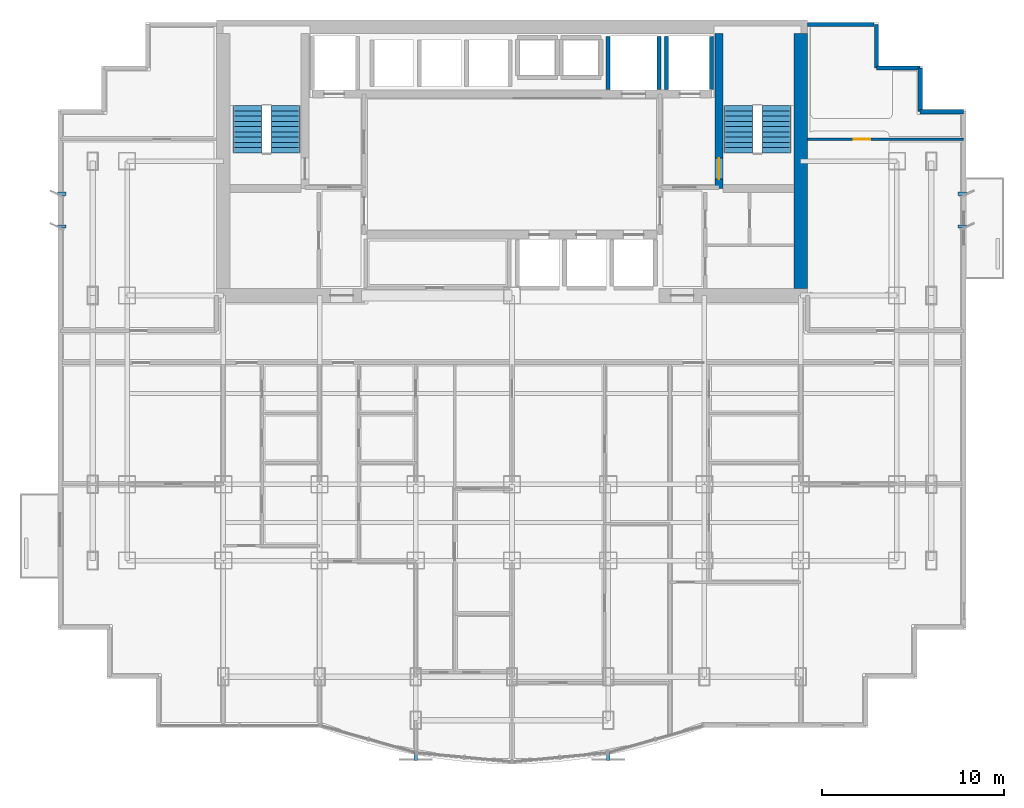
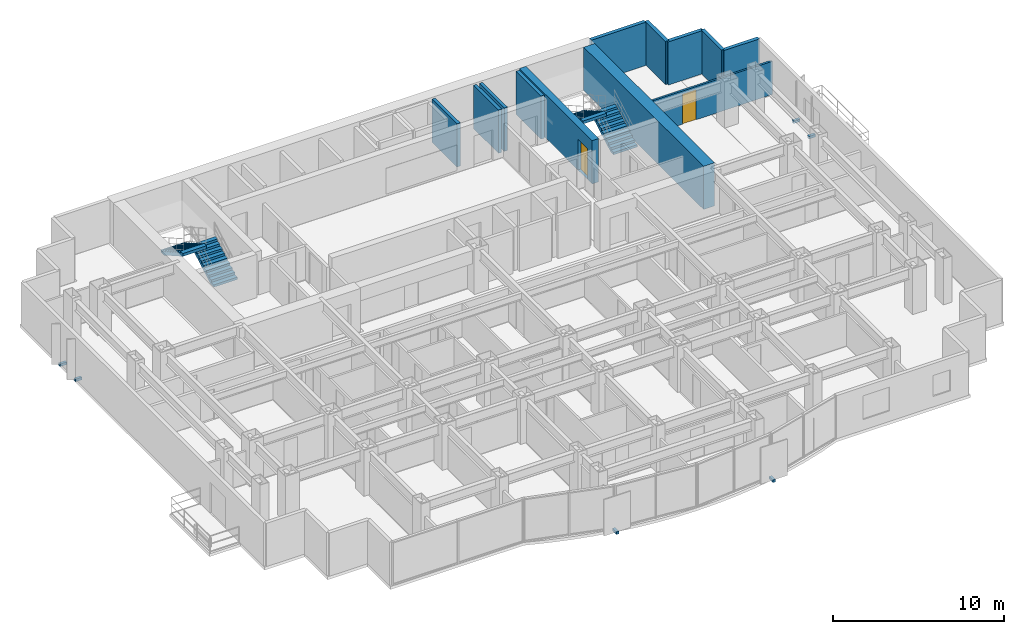
# One storey, part 8 of 10: 12 walls, 6 discrete accessories, 4 stair flights, 2 doors, 2 openings, 2 elements without a shape of their own.
"""IFC4 building model written with IfcOpenShell, lengths in metres."""

from ifc_helpers import new_model, si_unit, direction, frame, frame_2d, origin, origin_2d, place, context, subcontext, project, spatial, polyline, rectangle, outline, extrude, source, transform, mapped, material, layer, layer_set, type_object, element, fill, aggregate, save


model = new_model("IFC4")

# Units and contexts
model_context = context("Model", 3, precision=1e-05, world=origin(), true_north=direction((0.0, 1.0)))
body_context = subcontext(model_context, "Body", "Model", "MODEL_VIEW")
ifc_project = project(units=[si_unit("LENGTHUNIT", "METRE"), si_unit("AREAUNIT", "SQUARE_METRE"), si_unit("VOLUMEUNIT", "CUBIC_METRE"), si_unit("PLANEANGLEUNIT", "RADIAN"), si_unit("MASSUNIT", "GRAM", prefix="KILO")], contexts=[model_context])

# Site, building, storey
site_placement = place(None, origin())
site = spatial("IfcSite", under=ifc_project, at=site_placement, CompositionType="ELEMENT")
building_placement = place(site_placement, origin())
building = spatial("IfcBuilding", under=site, at=building_placement, Name="Qianlan Lanfeng Residences", CompositionType="ELEMENT")
storey_placement = place(building_placement, frame((0.0, 0.0, 114.699951171875)))
storey = spatial("IfcBuildingStorey", under=building, at=storey_placement, Name="L31", CompositionType="ELEMENT", Elevation=114.699951171875)

# Wall, opening, door
ifc_material_1 = material(Name="Concrete C60", Category="concrete")
ifc_layer_1 = layer(ifc_material_1, 0.449951171875)
ifc_layer_set_1 = layer_set([ifc_layer_1], Name="Concrete C60")
wall_type_1 = type_object("IfcWallType", Name="CW-RC-450", PredefinedType="SHEAR", material=ifc_layer_set_1)
wall_1_placement = place(storey_placement, frame((37.89990234375, 31.10009765625, 0.0), z_axis=(0.0, 0.0, 1.0), x_axis=(0.0, 1.0, 0.0)))
wall_1 = element("IfcWall", 1, at=wall_1_placement, inside=storey, type_object=wall_type_1, Name="L31 Core Shear Wall ST2W", PredefinedType="SHEAR", context=body_context, shape_type="SweptSolid", body=[
    extrude(rectangle(XDim=8.52490234375, YDim=0.449951171875, at=frame_2d((4.262451171875, 0.0))), origin(), (0.0, 0.0, 1.0), 3.090087890625),
])
opening_1_placement = place(wall_1_placement, frame((0.510009765625, 0.0, 0.0)))
opening_1 = element("IfcOpeningElement", 2, at=opening_1_placement, cuts=wall_1, Name="Opening L31-D08", PredefinedType="OPENING", context=body_context, shape_type="SweptSolid", body=[
    extrude(rectangle(XDim=1.14990234375, YDim=2.199951171875, at=frame_2d((0.574951171875, 1.10009765625))), frame((0.0, 0.23486328125, 0.0), z_axis=(0.0, -1.0, 0.0), x_axis=(1.0, 0.0, 0.0)), (0.0, 0.0, 1.0), 0.469970703125),
])
ifc_material_2 = material(Name="Painted Galvanised Steel Fire Door", Category="steel")
door_type_1 = type_object("IfcDoorType", Name="DT-ST1", OperationType="NOTDEFINED", PredefinedType="DOOR", material=ifc_material_2)
door_1_placement = place(opening_1_placement, origin())
door_1 = element("IfcDoor", 3, at=door_1_placement, inside=storey, type_object=door_type_1, Name="L31 Exit Stair ST-2 Door L31-D08 (DT-ST1)", OperationType="SINGLE_SWING_RIGHT", OverallHeight=2.199951171875, OverallWidth=1.14990234375, PredefinedType="DOOR", context=body_context, shape_type="SweptSolid", body=[
    extrude(rectangle(XDim=1.14990234375, YDim=2.199951171875, at=frame_2d((0.574951171875, 1.10009765625))), frame((0.0, 0.02490234375, 0.0), z_axis=(0.0, -1.0, 0.0), x_axis=(1.0, 0.0, 0.0)), (0.0, 0.0, 1.0), 0.050048828125),
])
fill(opening_1, door_1)

# Walls
ifc_layer_2 = layer(ifc_material_1, 0.75)
ifc_layer_set_2 = layer_set([ifc_layer_2], Name="Concrete C60")
wall_type_2 = type_object("IfcWallType", Name="CW-RC-750", PredefinedType="SHEAR", material=ifc_layer_set_2)
wall_2_placement = place(storey_placement, frame((42.39990234375, 25.574951171875, 0.0), z_axis=(0.0, 0.0, 1.0), x_axis=(0.0, 1.0, 0.0)))
element("IfcWall", 4, at=wall_2_placement, inside=storey, type_object=wall_type_2, Name="L31 Core Shear Wall E", PredefinedType="SHEAR", context=body_context, shape_type="SweptSolid", body=[
    extrude(rectangle(XDim=14.050048828125, YDim=0.75, at=frame_2d((7.02490234375, 0.0))), origin(), (0.0, 0.0, 1.0), 3.090087890625),
])
ifc_material_3 = material(Name="Concrete C42", Category="concrete")
ifc_layer_3 = layer(ifc_material_3, 0.239990234375)
ifc_layer_set_3 = layer_set([ifc_layer_3], Name="Concrete C42")
wall_type_3 = type_object("IfcWallType", Name="EW-240", PredefinedType="SOLIDWALL", material=ifc_layer_set_3)
for number, where, z_axis, x_axis, name in (
    (5, (51.3798828125, 35.330078125, 0.0), (0.0, 0.0, 1.0), (-1.0, 0.0, 0.0), "L31 Exterior Facade Spandrel Wall 11"),
    (6, (48.97998046875, 35.330078125, 0.0), (0.0, 0.0, 1.0), (0.0, 1.0, 0.0), "L31 Exterior Facade Spandrel Wall 12"),
    (7, (48.97998046875, 37.72998046875, 0.0), (0.0, 0.0, 1.0), (-1.0, 0.0, 0.0), "L31 Exterior Facade Spandrel Wall 13"),
    (8, (46.580078125, 37.72998046875, 0.0), (0.0, 0.0, 1.0), (0.0, 1.0, 0.0), "L31 Exterior Facade Spandrel Wall 14"),
):
    element("IfcWall", number, at=place(storey_placement, frame(where, z_axis=z_axis, x_axis=x_axis)), inside=storey, type_object=wall_type_3, Name=name, PredefinedType="SOLIDWALL", context=body_context, shape_type="SweptSolid", body=[
        extrude(rectangle(XDim=2.39990234375, YDim=0.239990234375, at=frame_2d((1.199951171875, 0.0))), origin(), (0.0, 0.0, 1.0), 3.090087890625),
    ])
wall_3_placement = place(storey_placement, frame((46.449951171875, 40.1298828125, 0.0), z_axis=(0.0, 0.0, 1.0), x_axis=(-1.0, 0.0, 0.0)))
element("IfcWall", 9, at=wall_3_placement, inside=storey, type_object=wall_type_3, Name="L31 North Wing Exterior Wall E", PredefinedType="SOLIDWALL", context=body_context, shape_type="SweptSolid", body=[
    extrude(rectangle(XDim=3.675048828125, YDim=0.239990234375, at=frame_2d((1.83740234375, 0.0))), origin(), (0.0, 0.0, 1.0), 3.090087890625),
])

# Wall, opening, door
ifc_material_4 = material(Name="Moisture-Resistant Gypsum Partition 135 mm")
ifc_layer_4 = layer(ifc_material_4, 0.135009765625)
ifc_layer_set_4 = layer_set([ifc_layer_4], Name="Moisture-Resistant Gypsum Partition 135 mm")
wall_type_4 = type_object("IfcWallType", Name="PW-135", PredefinedType="PARTITIONING", material=ifc_layer_set_4)
wall_4_placement = place(storey_placement, frame((42.77490234375, 33.800048828125, 0.0), z_axis=(0.0, 0.0, 1.0), x_axis=(1.0, 0.0, 0.0)))
wall_4 = element("IfcWall", 10, at=wall_4_placement, inside=storey, type_object=wall_type_4, Name="L31 EW North Wing Wall", PredefinedType="PARTITIONING", context=body_context, shape_type="SweptSolid", body=[
    extrude(rectangle(XDim=8.60498046875, YDim=0.135009765625, at=frame_2d((4.302490234375, 0.0))), origin(), (0.0, 0.0, 1.0), 2.380126953125),
])
opening_2_placement = place(wall_4_placement, frame((2.5419921875, 0.0, 0.0)))
opening_2 = element("IfcOpeningElement", 11, at=opening_2_placement, cuts=wall_4, Name="Opening L31-D46", PredefinedType="OPENING", context=body_context, shape_type="SweptSolid", body=[
    extrude(rectangle(XDim=0.919921875, YDim=2.14990234375, at=frame_2d((0.4599609375, 1.074951171875))), frame((0.0, 0.07763671875, 0.0), z_axis=(0.0, -1.0, 0.0), x_axis=(1.0, 0.0, 0.0)), (0.0, 0.0, 1.0), 0.155029296875),
])
ifc_material_5 = material(Name="Glazed Timber Kitchen/Study Door", Category="wood")
door_type_2 = type_object("IfcDoorType", Name="DT-INT", OperationType="NOTDEFINED", PredefinedType="DOOR", material=ifc_material_5)
door_2_placement = place(opening_2_placement, origin())
door_2 = element("IfcDoor", 12, at=door_2_placement, inside=storey, type_object=door_type_2, Name="L31 EW Inner Salon Door L31-D46 (DT-INT)", OperationType="SINGLE_SWING_LEFT", OverallHeight=2.14990234375, OverallWidth=0.919921875, PredefinedType="DOOR", context=body_context, shape_type="SweptSolid", body=[
    extrude(rectangle(XDim=0.919921875, YDim=2.14990234375, at=frame_2d((0.4599609375, 1.074951171875))), frame((0.0, 0.02490234375, 0.0), z_axis=(0.0, -1.0, 0.0), x_axis=(1.0, 0.0, 0.0)), (0.0, 0.0, 1.0), 0.050048828125),
])
fill(opening_2, door_2)

# Walls
ifc_material_6 = material(Name="Concrete C49", Category="concrete")
ifc_layer_5 = layer(ifc_material_6, 0.219970703125)
ifc_layer_set_5 = layer_set([ifc_layer_5], Name="Concrete C49")
wall_type_5 = type_object("IfcWallType", Name="SHW-220", PredefinedType="SOLIDWALL", material=ifc_layer_set_5)
for number, where, z_axis, x_axis, name in (
    (13, (35.0, 36.550048828125, 0.0), (0.0, 0.0, 1.0), (0.0, 1.0, 0.0), "L31 Lift FFL-2 Shaft Wall W"),
    (14, (37.47998046875, 36.550048828125, 0.0), (0.0, 0.0, 1.0), (0.0, 1.0, 0.0), "L31 Lift FFL-2 Shaft Wall E"),
    (15, (31.800048828125, 36.550048828125, 0.0), (0.0, 0.0, 1.0), (0.0, 1.0, 0.0), "L31 Lift SVL-1 Shaft Wall W"),
    (16, (34.60009765625, 36.550048828125, 0.0), (0.0, 0.0, 1.0), (0.0, 1.0, 0.0), "L31 Lift SVL-1 Shaft Wall E"),
):
    element("IfcWall", number, at=place(storey_placement, frame(where, z_axis=z_axis, x_axis=x_axis)), inside=storey, type_object=wall_type_5, Name=name, PredefinedType="SOLIDWALL", context=body_context, shape_type="SweptSolid", body=[
        extrude(rectangle(XDim=2.929931640625, YDim=0.219970703125, at=frame_2d((1.46484375, 0.0))), origin(), (0.0, 0.0, 1.0), 3.090087890625),
    ])

# Stair, stair flights
stair_type = type_object("IfcStairType", Name="STR-MAIN", PredefinedType="HALF_TURN_STAIR", material=ifc_material_3)
stair_1_placement = place(storey_placement, origin())
stair_1 = element("IfcStair", 17, at=stair_1_placement, inside=storey, type_object=stair_type, Name="L31 Exit Stair ST-1", PredefinedType="HALF_TURN_STAIR")
stair_flight_type = type_object("IfcStairFlightType", Name="FLT-1720", PredefinedType="STRAIGHT", material=ifc_material_3)
stair_flight_1_placement = place(storey_placement, frame((14.02001953125, 33.050048828125, 0.0), z_axis=(0.0, 0.0, 1.0), x_axis=(0.0, 1.0, 0.0)))
stair_flight_1 = element("IfcStairFlight", 18, at=stair_flight_1_placement, type_object=stair_flight_type, Name="ST-1 flight 1", NumberOfRisers=10, NumberOfTreads=9, PredefinedType="STRAIGHT", RiserHeight=0.165, TreadLength=0.29, context=body_context, shape_type="SweptSolid", body=[
    extrude(outline(polyline([(0.0, 0.0), (0.0, 0.1650390625), (0.2900390625, 0.1650390625), (0.2900390625, 0.330078125), (0.580078125, 0.330078125), (0.580078125, 0.4951171875), (0.8701171875, 0.4951171875), (0.8701171875, 0.659912109375), (1.159912109375, 0.659912109375), (1.159912109375, 0.824951171875), (1.449951171875, 0.824951171875), (1.449951171875, 0.989990234375), (1.739990234375, 0.989990234375), (1.739990234375, 1.155029296875), (2.030029296875, 1.155029296875), (2.030029296875, 1.320068359375), (2.320068359375, 1.320068359375), (2.320068359375, 1.485107421875), (2.610107421875, 1.485107421875), (2.610107421875, 1.64990234375), (2.610107421875, 1.278076171875), (0.36376953125, 0.0), (0.0, 0.0)])), frame((0.0, 0.800048828125, 0.0), z_axis=(0.0, -1.0, 0.0), x_axis=(1.0, 0.0, 0.0)), (0.0, 0.0, 1.0), 1.60009765625),
])
stair_flight_2_placement = place(storey_placement, frame((11.93994140625, 35.659912109375, 1.650146484375), z_axis=(0.0, 0.0, 1.0), x_axis=(0.0, -1.0, 0.0)))
stair_flight_2 = element("IfcStairFlight", 19, at=stair_flight_2_placement, type_object=stair_flight_type, Name="ST-1 flight 2", NumberOfRisers=10, NumberOfTreads=9, PredefinedType="STRAIGHT", RiserHeight=0.165, TreadLength=0.29, context=body_context, shape_type="SweptSolid", body=[
    extrude(outline(polyline([(0.0, 0.0), (0.0, 0.1650390625), (0.2900390625, 0.1650390625), (0.2900390625, 0.330078125), (0.580078125, 0.330078125), (0.580078125, 0.4951171875), (0.8701171875, 0.4951171875), (0.8701171875, 0.659912109375), (1.159912109375, 0.659912109375), (1.159912109375, 0.824951171875), (1.449951171875, 0.824951171875), (1.449951171875, 0.989990234375), (1.739990234375, 0.989990234375), (1.739990234375, 1.155029296875), (2.030029296875, 1.155029296875), (2.030029296875, 1.320068359375), (2.320068359375, 1.320068359375), (2.320068359375, 1.485107421875), (2.610107421875, 1.485107421875), (2.610107421875, 1.64990234375), (2.610107421875, 1.278076171875), (0.36376953125, 0.0), (0.0, 0.0)])), frame((0.0, 0.800048828125, 0.0), z_axis=(0.0, -1.0, 0.0), x_axis=(1.0, 0.0, 0.0)), (0.0, 0.0, 1.0), 1.60009765625),
])
aggregate(stair_1, [stair_flight_1, stair_flight_2])

stair_2_placement = place(storey_placement, origin())
stair_2 = element("IfcStair", 20, at=stair_2_placement, inside=storey, type_object=stair_type, Name="L31 Exit Stair ST-2", PredefinedType="HALF_TURN_STAIR")
stair_flight_3_placement = place(storey_placement, frame((41.06005859375, 33.050048828125, 0.0), z_axis=(0.0, 0.0, 1.0), x_axis=(0.0, 1.0, 0.0)))
stair_flight_3 = element("IfcStairFlight", 21, at=stair_flight_3_placement, type_object=stair_flight_type, Name="ST-2 flight 1", NumberOfRisers=10, NumberOfTreads=9, PredefinedType="STRAIGHT", RiserHeight=0.165, TreadLength=0.29, context=body_context, shape_type="SweptSolid", body=[
    extrude(outline(polyline([(0.0, 0.0), (0.0, 0.1650390625), (0.2900390625, 0.1650390625), (0.2900390625, 0.330078125), (0.580078125, 0.330078125), (0.580078125, 0.4951171875), (0.8701171875, 0.4951171875), (0.8701171875, 0.659912109375), (1.159912109375, 0.659912109375), (1.159912109375, 0.824951171875), (1.449951171875, 0.824951171875), (1.449951171875, 0.989990234375), (1.739990234375, 0.989990234375), (1.739990234375, 1.155029296875), (2.030029296875, 1.155029296875), (2.030029296875, 1.320068359375), (2.320068359375, 1.320068359375), (2.320068359375, 1.485107421875), (2.610107421875, 1.485107421875), (2.610107421875, 1.64990234375), (2.610107421875, 1.278076171875), (0.36376953125, 0.0), (0.0, 0.0)])), frame((0.0, 0.800048828125, 0.0), z_axis=(0.0, -1.0, 0.0), x_axis=(1.0, 0.0, 0.0)), (0.0, 0.0, 1.0), 1.60009765625),
])
stair_flight_4_placement = place(storey_placement, frame((38.97998046875, 35.659912109375, 1.650146484375), z_axis=(0.0, 0.0, 1.0), x_axis=(0.0, -1.0, 0.0)))
stair_flight_4 = element("IfcStairFlight", 22, at=stair_flight_4_placement, type_object=stair_flight_type, Name="ST-2 flight 2", NumberOfRisers=10, NumberOfTreads=9, PredefinedType="STRAIGHT", RiserHeight=0.165, TreadLength=0.29, context=body_context, shape_type="SweptSolid", body=[
    extrude(outline(polyline([(0.0, 0.0), (0.0, 0.1650390625), (0.2900390625, 0.1650390625), (0.2900390625, 0.330078125), (0.580078125, 0.330078125), (0.580078125, 0.4951171875), (0.8701171875, 0.4951171875), (0.8701171875, 0.659912109375), (1.159912109375, 0.659912109375), (1.159912109375, 0.824951171875), (1.449951171875, 0.824951171875), (1.449951171875, 0.989990234375), (1.739990234375, 0.989990234375), (1.739990234375, 1.155029296875), (2.030029296875, 1.155029296875), (2.030029296875, 1.320068359375), (2.320068359375, 1.320068359375), (2.320068359375, 1.485107421875), (2.610107421875, 1.485107421875), (2.610107421875, 1.64990234375), (2.610107421875, 1.278076171875), (0.36376953125, 0.0), (0.0, 0.0)])), frame((0.0, 0.800048828125, 0.0), z_axis=(0.0, -1.0, 0.0), x_axis=(1.0, 0.0, 0.0)), (0.0, 0.0, 1.0), 1.60009765625),
])
aggregate(stair_2, [stair_flight_3, stair_flight_4])

# Discrete accessories
ifc_material_7 = material(Name="Stainless Steel Facade Bracket", Category="steel")
discrete_accessory_type = type_object("IfcDiscreteAccessoryType", Name="BRK-SS-350", PredefinedType="BRACKET", material=ifc_material_7)
shared_shape_1 = source(origin(), body_context, "Body", "SweptSolid", [
    extrude(rectangle(XDim=0.179931640625, YDim=0.449951171875, at=origin_2d()), origin(), (0.0, 0.0, 1.0), 0.179931640625),
])
for number, where, z_axis, x_axis, name in (
    (23, (21.199951171875, -0.199951171875, -0.14990234375), (0.0, 0.0, 1.0), (1.0, 0.0, 0.0), "L31 Solar Screen Support Bracket 1"),
    (24, (31.800048828125, -0.199951171875, -0.14990234375), (0.0, 0.0, 1.0), (1.0, 0.0, 0.0), "L31 Solar Screen Support Bracket 2"),
):
    element("IfcDiscreteAccessory", number, at=place(storey_placement, frame(where, z_axis=z_axis, x_axis=x_axis)), inside=storey, type_object=discrete_accessory_type, Name=name, PredefinedType="BRACKET", context=body_context, shape_type="MappedRepresentation", body=[
        mapped(shared_shape_1, transform((0.0, 0.0, 0.0), scale=1.0)),
    ])
shared_shape_2 = source(origin(), body_context, "Body", "SweptSolid", [
    extrude(rectangle(XDim=0.449951171875, YDim=0.179931640625, at=origin_2d()), origin(), (0.0, 0.0, 1.0), 0.179931640625),
])
for number, where, z_axis, x_axis, name in (
    (25, (1.699951171875, 29.0, -0.14990234375), (0.0, 0.0, 1.0), (1.0, 0.0, 0.0), "L31 Raked Solar Fin Support Bracket W1"),
    (26, (1.699951171875, 30.800048828125, -0.14990234375), (0.0, 0.0, 1.0), (1.0, 0.0, 0.0), "L31 Raked Solar Fin Support Bracket W2"),
    (27, (51.300048828125, 29.0, -0.14990234375), (0.0, 0.0, 1.0), (1.0, 0.0, 0.0), "L31 Raked Solar Fin Support Bracket E1"),
    (28, (51.300048828125, 30.800048828125, -0.14990234375), (0.0, 0.0, 1.0), (1.0, 0.0, 0.0), "L31 Raked Solar Fin Support Bracket E2"),
):
    element("IfcDiscreteAccessory", number, at=place(storey_placement, frame(where, z_axis=z_axis, x_axis=x_axis)), inside=storey, type_object=discrete_accessory_type, Name=name, PredefinedType="BRACKET", context=body_context, shape_type="MappedRepresentation", body=[
        mapped(shared_shape_2, transform((0.0, 0.0, 0.0), scale=1.0)),
    ])

save(model, "model.ifc")
